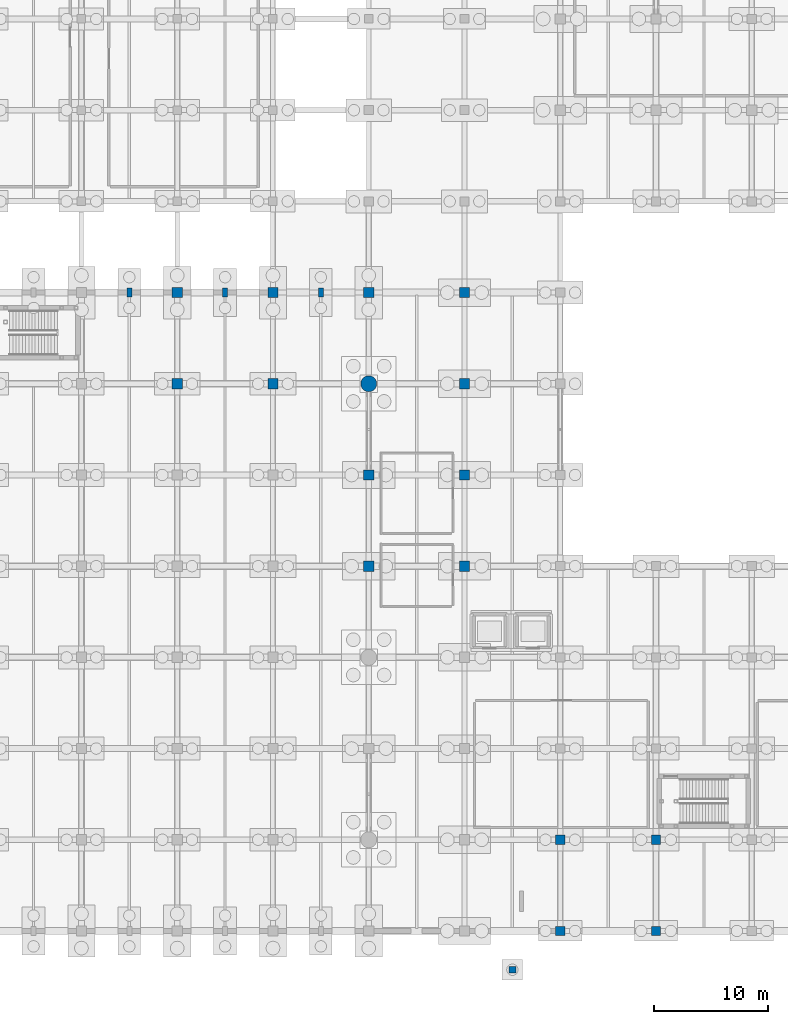
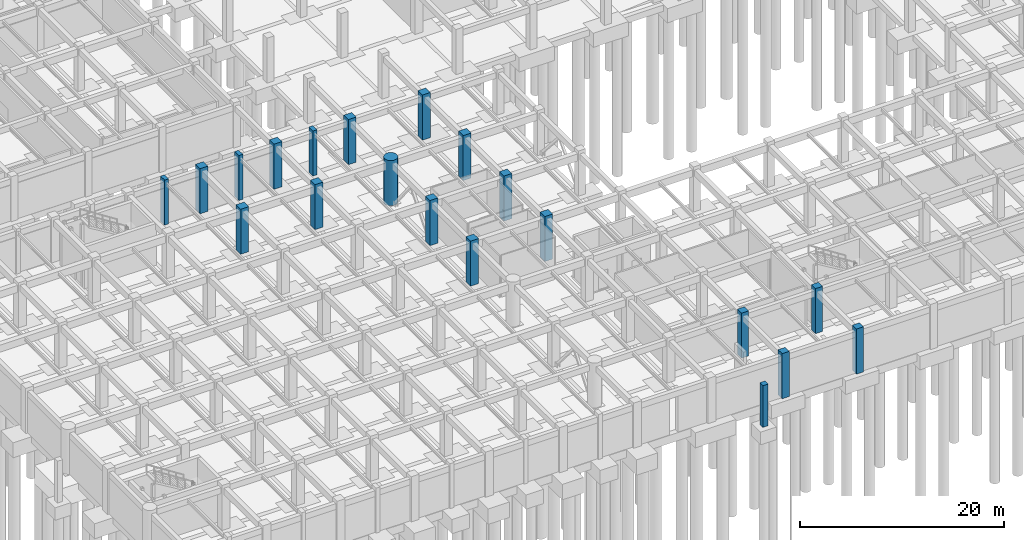
# One storey, part 14 of 56: 20 columns.
"""IFC4 building model written with IfcOpenShell, lengths in metres."""

from ifc_helpers import new_model, si_unit, direction, frame, origin, origin_2d, place, context, subcontext, project, spatial, rectangle, circle, extrude, material, material_profile, profile_set, type_object, element, save


model = new_model("IFC4")

# Units and contexts
model_context = context("Model", 3, precision=1e-05, world=origin(), true_north=direction((0.0, 1.0)))
body_context = subcontext(model_context, "Body", "Model", "MODEL_VIEW")
ifc_project = project(units=[si_unit("LENGTHUNIT", "METRE"), si_unit("AREAUNIT", "SQUARE_METRE"), si_unit("VOLUMEUNIT", "CUBIC_METRE"), si_unit("PLANEANGLEUNIT", "RADIAN"), si_unit("MASSUNIT", "GRAM", prefix="KILO")], contexts=[model_context])

# Site, building, storey
site_placement = place(None, origin())
site = spatial("IfcSite", under=ifc_project, at=site_placement, CompositionType="ELEMENT")
building_placement = place(site_placement, origin())
building = spatial("IfcBuilding", under=site, at=building_placement, Name="Naruveol Harbour Congress Hotel", CompositionType="ELEMENT")
storey_placement = place(building_placement, frame((0.0, 0.0, -5.39990234375)))
storey = spatial("IfcBuildingStorey", under=building, at=storey_placement, Name="B01", CompositionType="ELEMENT", Elevation=-5.39990234375)

# Columns
ifc_material_1 = material(Name="Concrete C50/60", Category="concrete")
ifc_material_profile_1 = material_profile(ifc_material_1, rectangle(XDim=0.449951171875, YDim=0.800048828125, at=origin_2d()), Name="RC-450x800")
ifc_profile_set_1 = profile_set([ifc_material_profile_1], Name="Concrete C50/60")
column_type_1 = type_object("IfcColumnType", Name="RC ACOUSTIC WALL PILASTER 450X800", PredefinedType="PILASTER", material=ifc_profile_set_1)
for number, where, z_axis, x_axis, name in (
    (1, (29.39990234375, 56.0, 0.0), (0.0, 0.0, 1.0), (1.0, 0.0, 0.0), "Column PL-450 B01 (29.4,56.0)"),
    (2, (37.800048828125, 56.0, 0.0), (0.0, 0.0, 1.0), (1.0, 0.0, 0.0), "Column PL-450 B01 (37.8,56.0)"),
    (3, (46.199951171875, 56.0, 0.0), (0.0, 0.0, 1.0), (1.0, 0.0, 0.0), "Column PL-450 B01 (46.2,56.0)"),
):
    element("IfcColumn", number, at=place(storey_placement, frame(where, z_axis=z_axis, x_axis=x_axis)), inside=storey, type_object=column_type_1, Name=name, PredefinedType="PILASTER", context=body_context, shape_type="SweptSolid", body=[
        extrude(rectangle(XDim=0.449951171875, YDim=0.800048828125, at=origin_2d()), origin(), (0.0, 0.0, 1.0), 5.39990234375),
    ])
ifc_material_2 = material(Name="Concrete C50/60", Category="concrete")
ifc_material_profile_2 = material_profile(ifc_material_2, circle(Radius=0.699951171875, at=origin_2d()), Name="RC-D1400")
ifc_profile_set_2 = profile_set([ifc_material_profile_2], Name="Concrete C50/60")
column_type_2 = type_object("IfcColumnType", Name="RC MEGA COLUMN D1400", PredefinedType="COLUMN", material=ifc_profile_set_2)
column_1_placement = place(storey_placement, frame((50.39990234375, 48.0, 0.0), z_axis=(0.0, 0.0, 1.0), x_axis=(1.0, 0.0, 0.0)))
element("IfcColumn", 4, at=column_1_placement, inside=storey, type_object=column_type_2, Name="Column C-MD1400 B01 (50.4,48.0)", PredefinedType="COLUMN", context=body_context, shape_type="SweptSolid", body=[
    extrude(circle(Radius=0.699951171875, at=origin_2d()), origin(), (0.0, 0.0, 1.0), 5.39990234375),
])
ifc_material_3 = material(Name="Concrete C50/60", Category="concrete")
ifc_material_profile_3 = material_profile(ifc_material_3, rectangle(XDim=0.800048828125, YDim=0.800048828125, at=origin_2d()), Name="RC-800x800")
ifc_profile_set_3 = profile_set([ifc_material_profile_3], Name="Concrete C50/60")
column_type_3 = type_object("IfcColumnType", Name="RC PODIUM COLUMN 800X800", PredefinedType="COLUMN", material=ifc_profile_set_3)
for number, where, z_axis, x_axis, name in (
    (5, (67.199951171875, 0.0, 0.0), (0.0, 0.0, 1.0), (1.0, 0.0, 0.0), "Column C-800 B01 (67.2,0.0)"),
    (6, (67.199951171875, 8.0, 0.0), (0.0, 0.0, 1.0), (1.0, 0.0, 0.0), "Column C-800 B01 (67.2,8.0)"),
    (7, (75.60009765625, 0.0, 0.0), (0.0, 0.0, 1.0), (1.0, 0.0, 0.0), "Column C-800 B01 (75.6,0.0)"),
    (8, (75.60009765625, 8.0, 0.0), (0.0, 0.0, 1.0), (1.0, 0.0, 0.0), "Column C-800 B01 (75.6,8.0)"),
):
    element("IfcColumn", number, at=place(storey_placement, frame(where, z_axis=z_axis, x_axis=x_axis)), inside=storey, type_object=column_type_3, Name=name, PredefinedType="COLUMN", context=body_context, shape_type="SweptSolid", body=[
        extrude(rectangle(XDim=0.800048828125, YDim=0.800048828125, at=origin_2d()), origin(), (0.0, 0.0, 1.0), 5.39990234375),
    ])
ifc_material_4 = material(Name="Concrete C50/60", Category="concrete")
ifc_material_profile_4 = material_profile(ifc_material_4, rectangle(XDim=0.89990234375, YDim=0.89990234375, at=origin_2d()), Name="RC-900x900")
ifc_profile_set_4 = profile_set([ifc_material_profile_4], Name="Concrete C50/60")
column_type_4 = type_object("IfcColumnType", Name="RC PRIMARY COLUMN 900X900", PredefinedType="COLUMN", material=ifc_profile_set_4)
for number, where, z_axis, x_axis, name in (
    (9, (33.60009765625, 48.0, 0.0), (0.0, 0.0, 1.0), (1.0, 0.0, 0.0), "Column C-900 B01 (33.6,48.0)"),
    (10, (33.60009765625, 56.0, 0.0), (0.0, 0.0, 1.0), (1.0, 0.0, 0.0), "Column C-900 B01 (33.6,56.0)"),
    (11, (42.0, 48.0, 0.0), (0.0, 0.0, 1.0), (1.0, 0.0, 0.0), "Column C-900 B01 (42.0,48.0)"),
    (12, (42.0, 56.0, 0.0), (0.0, 0.0, 1.0), (1.0, 0.0, 0.0), "Column C-900 B01 (42.0,56.0)"),
    (13, (50.39990234375, 32.0, 0.0), (0.0, 0.0, 1.0), (1.0, 0.0, 0.0), "Column C-900 B01 (50.4,32.0)"),
    (14, (50.39990234375, 40.0, 0.0), (0.0, 0.0, 1.0), (1.0, 0.0, 0.0), "Column C-900 B01 (50.4,40.0)"),
    (15, (50.39990234375, 56.0, 0.0), (0.0, 0.0, 1.0), (1.0, 0.0, 0.0), "Column C-900 B01 (50.4,56.0)"),
    (16, (58.800048828125, 32.0, 0.0), (0.0, 0.0, 1.0), (1.0, 0.0, 0.0), "Column C-900 B01 (58.8,32.0)"),
    (17, (58.800048828125, 40.0, 0.0), (0.0, 0.0, 1.0), (1.0, 0.0, 0.0), "Column C-900 B01 (58.8,40.0)"),
    (18, (58.800048828125, 48.0, 0.0), (0.0, 0.0, 1.0), (1.0, 0.0, 0.0), "Column C-900 B01 (58.8,48.0)"),
    (19, (58.800048828125, 56.0, 0.0), (0.0, 0.0, 1.0), (1.0, 0.0, 0.0), "Column C-900 B01 (58.8,56.0)"),
):
    element("IfcColumn", number, at=place(storey_placement, frame(where, z_axis=z_axis, x_axis=x_axis)), inside=storey, type_object=column_type_4, Name=name, PredefinedType="COLUMN", context=body_context, shape_type="SweptSolid", body=[
        extrude(rectangle(XDim=0.89990234375, YDim=0.89990234375, at=origin_2d()), origin(), (0.0, 0.0, 1.0), 5.39990234375),
    ])
ifc_material_5 = material(Name="Concrete C40/50", Category="concrete")
ifc_material_profile_5 = material_profile(ifc_material_5, rectangle(XDim=0.60009765625, YDim=0.60009765625, at=origin_2d()), Name="RC-600x600")
ifc_profile_set_5 = profile_set([ifc_material_profile_5], Name="Concrete C40/50")
column_type_5 = type_object("IfcColumnType", Name="RC UPPER COLUMN 600X600", PredefinedType="COLUMN", material=ifc_profile_set_5)
column_2_placement = place(storey_placement, frame((63.0, -3.39990234375, 0.0), z_axis=(0.0, 0.0, 1.0), x_axis=(1.0, 0.0, 0.0)))
element("IfcColumn", 20, at=column_2_placement, inside=storey, type_object=column_type_5, Name="Column C-600 B01 (63.0,-3.4)", PredefinedType="COLUMN", context=body_context, shape_type="SweptSolid", body=[
    extrude(rectangle(XDim=0.60009765625, YDim=0.60009765625, at=origin_2d()), origin(), (0.0, 0.0, 1.0), 5.0),
])

save(model, "model.ifc")
